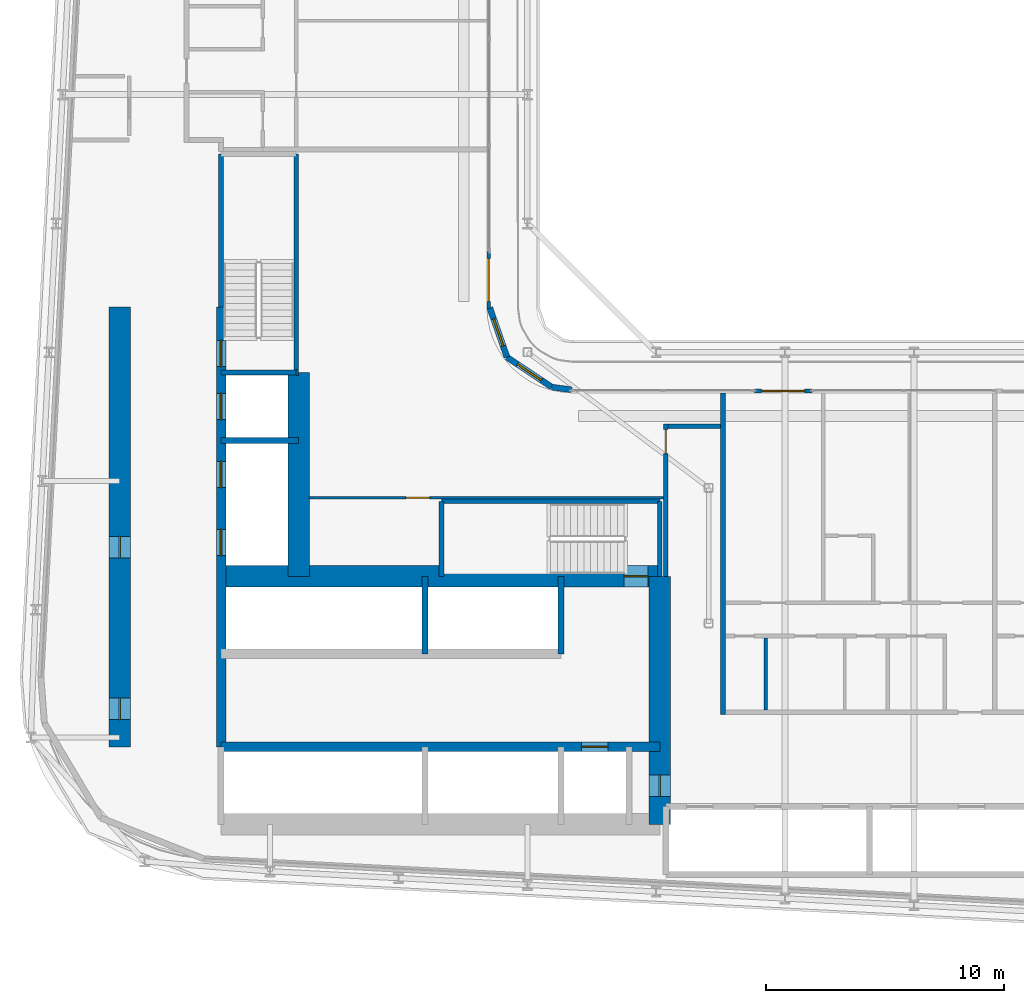
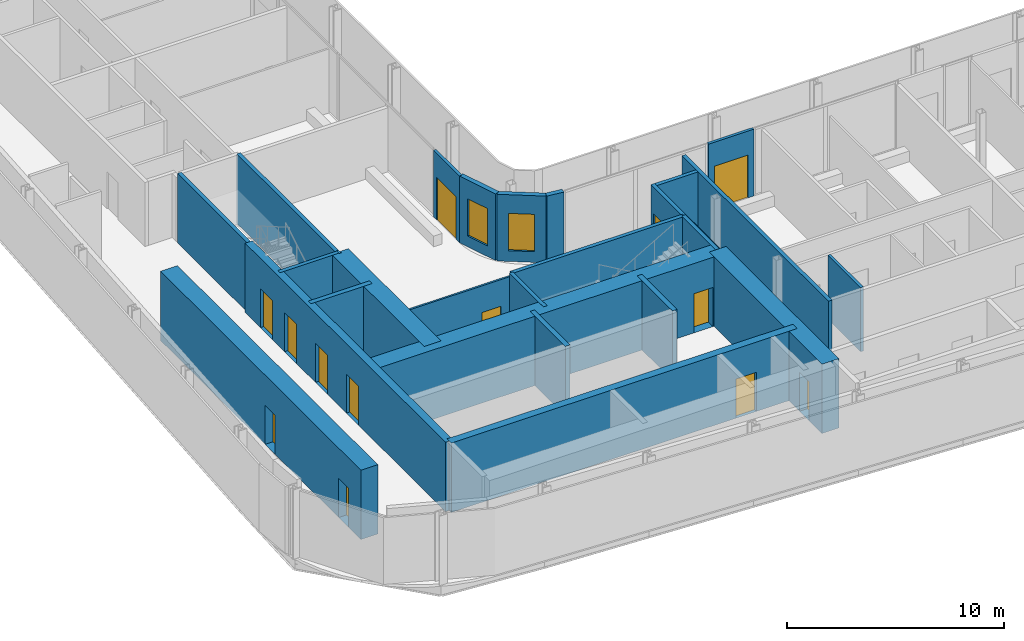
# One storey, part 12 of 25: 26 walls, 13 doors, 2 windows, 15 openings.
"""IFC4 building model written with IfcOpenShell, lengths in metres."""

from ifc_helpers import new_model, si_unit, direction, frame, frame_2d, origin, place, context, subcontext, project, spatial, rectangle, extrude, source, transform, mapped, material, layer, layer_set, type_object, element, fill, save


model = new_model("IFC4")

# Units and contexts
model_context = context("Model", 3, precision=1e-05, world=origin(), true_north=direction((0.0, 1.0)))
body_context = subcontext(model_context, "Body", "Model", "MODEL_VIEW")
ifc_project = project(units=[si_unit("LENGTHUNIT", "METRE"), si_unit("AREAUNIT", "SQUARE_METRE"), si_unit("VOLUMEUNIT", "CUBIC_METRE"), si_unit("PLANEANGLEUNIT", "RADIAN"), si_unit("MASSUNIT", "GRAM", prefix="KILO")], contexts=[model_context])

# Site, building, storey
site_placement = place(None, origin())
site = spatial("IfcSite", under=ifc_project, at=site_placement, CompositionType="ELEMENT")
building_placement = place(site_placement, origin())
building = spatial("IfcBuilding", under=site, at=building_placement, Name="Kheshtan School and Residences Tower", CompositionType="ELEMENT")
storey_placement = place(building_placement, frame((0.0, 0.0, 109.699951171875)))
storey = spatial("IfcBuildingStorey", under=building, at=storey_placement, Name="L25", CompositionType="ELEMENT", Elevation=109.699951171875)

# Wall, opening, door
ifc_material_1 = material(Name="Concrete C50/60", Category="concrete")
ifc_layer_1 = layer(ifc_material_1, 0.39990234375)
ifc_layer_set_1 = layer_set([ifc_layer_1], Name="Core wall 400 Concrete C50/60")
wall_type_1 = type_object("IfcWallType", Name="Core wall 400 Concrete C50/60", PredefinedType="SHEAR", material=ifc_layer_set_1)
wall_1_placement = place(storey_placement, frame((34.75, 29.050048828125, 0.0), z_axis=(0.0, 0.0, 1.0), x_axis=(1.0, 0.0, 0.0)))
wall_1 = element("IfcWall", 1, at=wall_1_placement, inside=storey, type_object=wall_type_1, Name="Core wall CW-HALL-S1", PredefinedType="SHEAR", context=body_context, shape_type="SweptSolid", body=[
    extrude(rectangle(XDim=18.39990234375, YDim=0.39990234375, at=frame_2d((9.199951171875, 0.0))), origin(), (0.0, 0.0, 1.0), 3.900146484375),
])
opening_1_placement = place(wall_1_placement, frame((15.125, 0.0, 0.0)))
opening_1 = element("IfcOpeningElement", 2, at=opening_1_placement, cuts=wall_1, Name="Opening LD", PredefinedType="OPENING", context=body_context, shape_type="SweptSolid", body=[
    extrude(rectangle(XDim=1.10009765625, YDim=2.199951171875, at=frame_2d((0.550048828125, 1.10009765625))), frame((0.0, 0.2099609375, 0.0), z_axis=(0.0, -1.0, 0.0), x_axis=(1.0, 0.0, 0.0)), (0.0, 0.0, 1.0), 0.419921875),
])
ifc_material_2 = material(Name="Stainless steel door leaves", Category="steel")
door_type_1 = type_object("IfcDoorType", Name="Lift landing door 1100", OperationType="SLIDING_TO_LEFT", PredefinedType="DOOR", material=ifc_material_2)
shared_shape_1 = source(origin(), body_context, "Body", "SweptSolid", [
    extrude(rectangle(XDim=1.10009765625, YDim=2.199951171875, at=frame_2d((0.550048828125, 1.10009765625))), frame((0.0, 0.02490234375, 0.0), z_axis=(0.0, -1.0, 0.0), x_axis=(1.0, 0.0, 0.0)), (0.0, 0.0, 1.0), 0.050048828125),
])
door_1_placement = place(opening_1_placement, origin())
door_1 = element("IfcDoor", 3, at=door_1_placement, inside=storey, type_object=door_type_1, Name="Lift FFL2 landing door", OperationType="SLIDING_TO_LEFT", OverallHeight=2.199951171875, OverallWidth=1.10009765625, PredefinedType="DOOR", context=body_context, shape_type="MappedRepresentation", body=[
    mapped(shared_shape_1, transform((0.0, 0.0, 0.0), x_axis=(1.0, 0.0, 0.0), y_axis=(0.0, 1.0, 0.0), z_axis=(0.0, 0.0, 1.0), scale=1.0)),
])
fill(opening_1, door_1)

# Wall, openings, doors
wall_2_placement = place(storey_placement, frame((34.75, 29.050048828125, 0.0), z_axis=(0.0, 0.0, 1.0), x_axis=(0.0, 1.0, 0.0)))
wall_2 = element("IfcWall", 4, at=wall_2_placement, inside=storey, type_object=wall_type_1, Name="Core wall CW-HALL-W1", PredefinedType="SHEAR", context=body_context, shape_type="SweptSolid", body=[
    extrude(rectangle(XDim=18.449951171875, YDim=0.39990234375, at=frame_2d((9.22509765625, 0.0))), origin(), (0.0, 0.0, 1.0), 3.900146484375),
])
opening_2_placement = place(wall_2_placement, frame((8.02490234375, 0.0, 0.0)))
opening_2 = element("IfcOpeningElement", 5, at=opening_2_placement, cuts=wall_2, Name="Opening LD", PredefinedType="OPENING", context=body_context, shape_type="SweptSolid", body=[
    extrude(rectangle(XDim=1.10009765625, YDim=2.199951171875, at=frame_2d((0.550048828125, 1.10009765625))), frame((0.0, 0.2099609375, 0.0), z_axis=(0.0, -1.0, 0.0), x_axis=(1.0, 0.0, 0.0)), (0.0, 0.0, 1.0), 0.419921875),
])
opening_3_placement = place(wall_2_placement, frame((10.875, 0.0, 0.0)))
opening_3 = element("IfcOpeningElement", 6, at=opening_3_placement, cuts=wall_2, Name="Opening LD", PredefinedType="OPENING", context=body_context, shape_type="SweptSolid", body=[
    extrude(rectangle(XDim=1.10009765625, YDim=2.199951171875, at=frame_2d((0.550048828125, 1.10009765625))), frame((0.0, 0.2099609375, 0.0), z_axis=(0.0, -1.0, 0.0), x_axis=(1.0, 0.0, 0.0)), (0.0, 0.0, 1.0), 0.419921875),
])
opening_4_placement = place(wall_2_placement, frame((13.72509765625, 0.0, 0.0)))
opening_4 = element("IfcOpeningElement", 7, at=opening_4_placement, cuts=wall_2, Name="Opening LD", PredefinedType="OPENING", context=body_context, shape_type="SweptSolid", body=[
    extrude(rectangle(XDim=1.10009765625, YDim=2.199951171875, at=frame_2d((0.550048828125, 1.10009765625))), frame((0.0, 0.2099609375, 0.0), z_axis=(0.0, -1.0, 0.0), x_axis=(1.0, 0.0, 0.0)), (0.0, 0.0, 1.0), 0.419921875),
])
opening_5_placement = place(wall_2_placement, frame((15.949951171875, 0.0, 0.0)))
opening_5 = element("IfcOpeningElement", 8, at=opening_5_placement, cuts=wall_2, Name="Opening ST2D", PredefinedType="OPENING", context=body_context, shape_type="SweptSolid", body=[
    extrude(rectangle(XDim=1.10009765625, YDim=2.199951171875, at=frame_2d((0.550048828125, 1.10009765625))), frame((0.0, 0.2099609375, 0.0), z_axis=(0.0, -1.0, 0.0), x_axis=(1.0, 0.0, 0.0)), (0.0, 0.0, 1.0), 0.419921875),
])
door_2_placement = place(opening_2_placement, origin())
door_2 = element("IfcDoor", 9, at=door_2_placement, inside=storey, type_object=door_type_1, Name="Lift SV1 landing door", OperationType="SLIDING_TO_LEFT", OverallHeight=2.199951171875, OverallWidth=1.10009765625, PredefinedType="DOOR", context=body_context, shape_type="MappedRepresentation", body=[
    mapped(shared_shape_1, transform((0.0, 0.0, 0.0), x_axis=(1.0, 0.0, 0.0), y_axis=(0.0, 1.0, 0.0), z_axis=(0.0, 0.0, 1.0), scale=1.0)),
])
fill(opening_2, door_2)
door_3_placement = place(opening_3_placement, origin())
door_3 = element("IfcDoor", 10, at=door_3_placement, inside=storey, type_object=door_type_1, Name="Lift SV2 landing door", OperationType="SLIDING_TO_LEFT", OverallHeight=2.199951171875, OverallWidth=1.10009765625, PredefinedType="DOOR", context=body_context, shape_type="MappedRepresentation", body=[
    mapped(shared_shape_1, transform((0.0, 0.0, 0.0), x_axis=(1.0, 0.0, 0.0), y_axis=(0.0, 1.0, 0.0), z_axis=(0.0, 0.0, 1.0), scale=1.0)),
])
fill(opening_3, door_3)
door_4_placement = place(opening_4_placement, origin())
door_4 = element("IfcDoor", 11, at=door_4_placement, inside=storey, type_object=door_type_1, Name="Lift FFL1 landing door", OperationType="SLIDING_TO_LEFT", OverallHeight=2.199951171875, OverallWidth=1.10009765625, PredefinedType="DOOR", context=body_context, shape_type="MappedRepresentation", body=[
    mapped(shared_shape_1, transform((0.0, 0.0, 0.0), x_axis=(1.0, 0.0, 0.0), y_axis=(0.0, 1.0, 0.0), z_axis=(0.0, 0.0, 1.0), scale=1.0)),
])
fill(opening_4, door_4)
ifc_material_3 = material(Name="Steel door leaf, galvanised", Category="steel")
door_type_2 = type_object("IfcDoorType", Name="Stair door 1100 steel 90 min", OperationType="SINGLE_SWING_LEFT", PredefinedType="DOOR", material=ifc_material_3)
shared_shape_2 = source(origin(), body_context, "Body", "SweptSolid", [
    extrude(rectangle(XDim=1.10009765625, YDim=2.199951171875, at=frame_2d((0.550048828125, 1.10009765625))), frame((0.0, 0.02490234375, 0.0), z_axis=(0.0, -1.0, 0.0), x_axis=(1.0, 0.0, 0.0)), (0.0, 0.0, 1.0), 0.050048828125),
])
door_5_placement = place(opening_5_placement, origin())
door_5 = element("IfcDoor", 12, at=door_5_placement, inside=storey, type_object=door_type_2, Name="Stair ST2 door", OperationType="SINGLE_SWING_RIGHT", OverallHeight=2.199951171875, OverallWidth=1.10009765625, PredefinedType="DOOR", context=body_context, shape_type="MappedRepresentation", body=[
    mapped(shared_shape_2, transform((0.0, 0.0, 0.0), x_axis=(1.0, 0.0, 0.0), y_axis=(0.0, 1.0, 0.0), z_axis=(0.0, 0.0, 1.0), scale=1.0)),
])
fill(opening_5, door_5)

# Wall, opening, door
ifc_material_4 = material(Name="Concrete C80/95", Category="concrete")
ifc_layer_2 = layer(ifc_material_4, 0.89990234375)
ifc_layer_set_2 = layer_set([ifc_layer_2], Name="Core wall 900 Concrete C80/95")
wall_type_2 = type_object("IfcWallType", Name="Core wall 900 Concrete C80/95", PredefinedType="SHEAR", material=ifc_layer_set_2)
wall_3_placement = place(storey_placement, frame((34.75, 36.199951171875, 0.0), z_axis=(0.0, 0.0, 1.0), x_axis=(1.0, 0.0, 0.0)))
wall_3 = element("IfcWall", 13, at=wall_3_placement, inside=storey, type_object=wall_type_2, Name="Core wall CW-FRONT-S", PredefinedType="SHEAR", context=body_context, shape_type="SweptSolid", body=[
    extrude(rectangle(XDim=18.39990234375, YDim=0.89990234375, at=frame_2d((9.199951171875, 0.0))), origin(), (0.0, 0.0, 1.0), 3.900146484375),
])
opening_6_placement = place(wall_3_placement, frame((16.89990234375, 0.0, 0.0)))
opening_6 = element("IfcOpeningElement", 14, at=opening_6_placement, cuts=wall_3, Name="Opening ST1D", PredefinedType="OPENING", context=body_context, shape_type="SweptSolid", body=[
    extrude(rectangle(XDim=1.0, YDim=2.199951171875, at=frame_2d((0.5, 1.10009765625))), frame((0.0, 0.4599609375, 0.0), z_axis=(0.0, -1.0, 0.0), x_axis=(1.0, 0.0, 0.0)), (0.0, 0.0, 1.0), 0.919921875),
])
shared_shape_3 = source(origin(), body_context, "Body", "SweptSolid", [
    extrude(rectangle(XDim=1.0, YDim=2.199951171875, at=frame_2d((0.5, 1.10009765625))), frame((0.0, 0.02490234375, 0.0), z_axis=(0.0, -1.0, 0.0), x_axis=(1.0, 0.0, 0.0)), (0.0, 0.0, 1.0), 0.050048828125),
])
door_6_placement = place(opening_6_placement, origin())
door_6 = element("IfcDoor", 15, at=door_6_placement, inside=storey, type_object=door_type_2, Name="Stair ST1 door", OperationType="SINGLE_SWING_RIGHT", OverallHeight=2.199951171875, OverallWidth=1.0, PredefinedType="DOOR", context=body_context, shape_type="MappedRepresentation", body=[
    mapped(shared_shape_3, transform((0.0, 0.0, 0.0), x_axis=(1.0, 0.0, 0.0), y_axis=(0.0, 1.0, 0.0), z_axis=(0.0, 0.0, 1.0), scale=1.0)),
])
fill(opening_6, door_6)

# Wall
wall_4_placement = place(storey_placement, frame((38.0, 36.199951171875, 0.0), z_axis=(0.0, 0.0, 1.0), x_axis=(0.0, 1.0, 0.0)))
element("IfcWall", 16, at=wall_4_placement, inside=storey, type_object=wall_type_2, Name="Core wall CW-FRONT-W", PredefinedType="SHEAR", context=body_context, shape_type="SweptSolid", body=[
    extrude(rectangle(XDim=8.550048828125, YDim=0.89990234375, at=frame_2d((4.27490234375, 0.0))), origin(), (0.0, 0.0, 1.0), 3.900146484375),
])

# Wall, openings, doors
wall_5_placement = place(storey_placement, frame((30.5, 29.050048828125, 0.0), z_axis=(0.0, 0.0, 1.0), x_axis=(0.0, 1.0, 0.0)))
wall_5 = element("IfcWall", 17, at=wall_5_placement, inside=storey, type_object=wall_type_2, Name="Core wall CW-REAR-W", PredefinedType="SHEAR", context=body_context, shape_type="SweptSolid", body=[
    extrude(rectangle(XDim=18.449951171875, YDim=0.89990234375, at=frame_2d((9.22509765625, 0.0))), origin(), (0.0, 0.0, 1.0), 3.900146484375),
])
opening_7_placement = place(wall_5_placement, frame((1.14697265625, 0.0, 0.0)))
opening_7 = element("IfcOpeningElement", 18, at=opening_7_placement, cuts=wall_5, Name="Opening SR90", PredefinedType="OPENING", context=body_context, shape_type="SweptSolid", body=[
    extrude(rectangle(XDim=0.89990234375, YDim=2.199951171875, at=frame_2d((0.449951171875, 1.10009765625))), frame((0.0, 0.4599609375, 0.0), z_axis=(0.0, -1.0, 0.0), x_axis=(1.0, 0.0, 0.0)), (0.0, 0.0, 1.0), 0.919921875),
])
opening_8_placement = place(wall_5_placement, frame((7.925048828125, 0.0, 0.0)))
opening_8 = element("IfcOpeningElement", 19, at=opening_8_placement, cuts=wall_5, Name="Opening SR90", PredefinedType="OPENING", context=body_context, shape_type="SweptSolid", body=[
    extrude(rectangle(XDim=0.89990234375, YDim=2.199951171875, at=frame_2d((0.449951171875, 1.10009765625))), frame((0.0, 0.4599609375, 0.0), z_axis=(0.0, -1.0, 0.0), x_axis=(1.0, 0.0, 0.0)), (0.0, 0.0, 1.0), 0.919921875),
])
door_type_3 = type_object("IfcDoorType", Name="Service room door 900 steel 90 min", OperationType="SINGLE_SWING_LEFT", PredefinedType="DOOR", material=ifc_material_3)
shared_shape_4 = source(origin(), body_context, "Body", "SweptSolid", [
    extrude(rectangle(XDim=0.89990234375, YDim=2.199951171875, at=frame_2d((0.449951171875, 1.10009765625))), frame((0.0, 0.02490234375, 0.0), z_axis=(0.0, -1.0, 0.0), x_axis=(1.0, 0.0, 0.0)), (0.0, 0.0, 1.0), 0.050048828125),
])
door_7_placement = place(opening_7_placement, origin())
door_7 = element("IfcDoor", 20, at=door_7_placement, inside=storey, type_object=door_type_3, Name="Service room door", OperationType="SINGLE_SWING_LEFT", OverallHeight=2.199951171875, OverallWidth=0.89990234375, PredefinedType="DOOR", context=body_context, shape_type="MappedRepresentation", body=[
    mapped(shared_shape_4, transform((0.0, 0.0, 0.0), x_axis=(1.0, 0.0, 0.0), y_axis=(0.0, 1.0, 0.0), z_axis=(0.0, 0.0, 1.0), scale=1.0)),
])
fill(opening_7, door_7)
door_8_placement = place(opening_8_placement, origin())
door_8 = element("IfcDoor", 21, at=door_8_placement, inside=storey, type_object=door_type_3, Name="Service room door", OperationType="SINGLE_SWING_LEFT", OverallHeight=2.199951171875, OverallWidth=0.89990234375, PredefinedType="DOOR", context=body_context, shape_type="MappedRepresentation", body=[
    mapped(shared_shape_4, transform((0.0, 0.0, 0.0), x_axis=(1.0, 0.0, 0.0), y_axis=(0.0, 1.0, 0.0), z_axis=(0.0, 0.0, 1.0), scale=1.0)),
])
fill(opening_8, door_8)

# Wall, opening, door
wall_6_placement = place(storey_placement, frame((53.14990234375, 25.800048828125, 0.0), z_axis=(0.0, 0.0, 1.0), x_axis=(0.0, 1.0, 0.0)))
wall_6 = element("IfcWall", 22, at=wall_6_placement, inside=storey, type_object=wall_type_2, Name="Core wall CW-EAST", PredefinedType="SHEAR", context=body_context, shape_type="SweptSolid", body=[
    extrude(rectangle(XDim=10.39990234375, YDim=0.89990234375, at=frame_2d((5.199951171875, 0.0))), origin(), (0.0, 0.0, 1.0), 3.900146484375),
])
opening_9_placement = place(wall_6_placement, frame((1.175048828125, 0.0, 0.0)))
opening_9 = element("IfcOpeningElement", 23, at=opening_9_placement, cuts=wall_6, Name="Opening SR90", PredefinedType="OPENING", context=body_context, shape_type="SweptSolid", body=[
    extrude(rectangle(XDim=0.89990234375, YDim=2.199951171875, at=frame_2d((0.449951171875, 1.10009765625))), frame((0.0, 0.4599609375, 0.0), z_axis=(0.0, -1.0, 0.0), x_axis=(1.0, 0.0, 0.0)), (0.0, 0.0, 1.0), 0.919921875),
])
door_9_placement = place(opening_9_placement, origin())
door_9 = element("IfcDoor", 24, at=door_9_placement, inside=storey, type_object=door_type_3, Name="Service room door", OperationType="SINGLE_SWING_RIGHT", OverallHeight=2.199951171875, OverallWidth=0.89990234375, PredefinedType="DOOR", context=body_context, shape_type="MappedRepresentation", body=[
    mapped(shared_shape_4, transform((0.0, 0.0, 0.0), x_axis=(1.0, 0.0, 0.0), y_axis=(0.0, 1.0, 0.0), z_axis=(0.0, 0.0, 1.0), scale=1.0)),
])
fill(opening_9, door_9)

ifc_material_5 = material(Name="Gypsum board on steel studs with fire boards", Category="steel")
ifc_layer_3 = layer(ifc_material_5, 0.199951171875)
ifc_layer_set_3 = layer_set([ifc_layer_3], Name="Corridor wall 200")
wall_type_3 = type_object("IfcWallType", Name="Corridor wall 200", PredefinedType="PARTITIONING", material=ifc_layer_set_3)
wall_7_placement = place(storey_placement, frame((53.39990234375, 36.198974609375, 0.0), z_axis=(0.0, 0.0, 1.0), x_axis=(0.0, 1.0, 0.0)))
wall_7 = element("IfcWall", 25, at=wall_7_placement, inside=storey, type_object=wall_type_3, Name="Partition L25-030", PredefinedType="PARTITIONING", context=body_context, shape_type="SweptSolid", body=[
    extrude(rectangle(XDim=6.401123046875, YDim=0.199951171875, at=frame_2d((3.20068359375, 0.0))), origin(), (0.0, 0.0, 1.0), 3.60009765625),
])
opening_10_placement = place(wall_7_placement, frame((5.15087890625, 0.0, 0.0)))
opening_10 = element("IfcOpeningElement", 26, at=opening_10_placement, cuts=wall_7, Name="Opening D25-051", PredefinedType="OPENING", context=body_context, shape_type="SweptSolid", body=[
    extrude(rectangle(XDim=1.0, YDim=2.10009765625, at=frame_2d((0.5, 1.050048828125))), frame((0.0, 0.10986328125, 0.0), z_axis=(0.0, -1.0, 0.0), x_axis=(1.0, 0.0, 0.0)), (0.0, 0.0, 1.0), 0.219970703125),
])
ifc_material_6 = material(Name="Steel-framed fire-resisting door leaf", Category="steel")
door_type_4 = type_object("IfcDoorType", Name="Fire door FD60 1000 x 2100", OperationType="SINGLE_SWING_LEFT", PredefinedType="DOOR", material=ifc_material_6)
shared_shape_5 = source(origin(), body_context, "Body", "SweptSolid", [
    extrude(rectangle(XDim=1.0, YDim=2.10009765625, at=frame_2d((0.5, 1.050048828125))), frame((0.0, 0.02490234375, 0.0), z_axis=(0.0, -1.0, 0.0), x_axis=(1.0, 0.0, 0.0)), (0.0, 0.0, 1.0), 0.050048828125),
])
door_10_placement = place(opening_10_placement, origin())
door_10 = element("IfcDoor", 27, at=door_10_placement, inside=storey, type_object=door_type_4, Name="Door D25-051", OperationType="SINGLE_SWING_LEFT", OverallHeight=2.10009765625, OverallWidth=1.0, PredefinedType="DOOR", context=body_context, shape_type="MappedRepresentation", body=[
    mapped(shared_shape_5, transform((0.0, 0.0, 0.0), x_axis=(1.0, 0.0, 0.0), y_axis=(0.0, 1.0, 0.0), z_axis=(0.0, 0.0, 1.0), scale=1.0)),
])
fill(opening_10, door_10)

# Wall
wall_8_placement = place(storey_placement, frame((53.5, 42.5, 0.0), z_axis=(0.0, 0.0, 1.0), x_axis=(1.0, 0.0, 0.0)))
element("IfcWall", 28, at=wall_8_placement, inside=storey, type_object=wall_type_3, Name="Partition L25-031", PredefinedType="PARTITIONING", context=body_context, shape_type="SweptSolid", body=[
    extrude(rectangle(XDim=2.199951171875, YDim=0.199951171875, at=frame_2d((1.10009765625, 0.0))), origin(), (0.0, 0.0, 1.0), 3.60009765625),
])

# Wall, opening, window
ifc_material_7 = material(Name="Concrete C40/50 with ceramic cladding and mineral wool insulation", Category="concrete")
ifc_layer_4 = layer(ifc_material_7, 0.25)
ifc_layer_set_4 = layer_set([ifc_layer_4], Name="External wall 250 ceramic clad")
wall_type_4 = type_object("IfcWallType", Name="External wall 250 ceramic clad", PredefinedType="SOLIDWALL", material=ifc_layer_set_4)
wall_9_placement = place(storey_placement, frame((46.01806640625, 47.470947265625, 0.0), z_axis=(0.0, 0.0, 1.0), x_axis=(0.328791208903, -0.944402637093, 0.0)))
wall_9 = element("IfcWall", 29, at=wall_9_placement, inside=storey, type_object=wall_type_4, Name="External wall L25 5", PredefinedType="SOLIDWALL", context=body_context, shape_type="SweptSolid", body=[
    extrude(rectangle(XDim=2.20458984375, YDim=0.25, at=frame_2d((1.102294921875, 0.0))), origin(), (0.0, 0.0, 1.0), 3.75),
])
opening_11_placement = place(wall_9_placement, frame((0.5029296875, 0.0, 0.60009765625)))
opening_11 = element("IfcOpeningElement", 30, at=opening_11_placement, cuts=wall_9, Name="Opening WN-E", PredefinedType="OPENING", context=body_context, shape_type="SweptSolid", body=[
    extrude(rectangle(XDim=1.199951171875, YDim=2.10009765625, at=frame_2d((0.60009765625, 1.050048828125))), frame((0.0, 0.135009765625, 0.0), z_axis=(0.0, -1.0, 0.0), x_axis=(1.0, 0.0, 0.0)), (0.0, 0.0, 1.0), 0.27001953125),
])
ifc_material_8 = material(Name="Clear low-e glass in thermally broken aluminium frame", Category="aluminium")
window_type = type_object("IfcWindowType", Name="Window WN-E", PartitioningType="SINGLE_PANEL", PredefinedType="WINDOW", material=ifc_material_8)
shared_shape_6 = source(origin(), body_context, "Body", "SweptSolid", [
    extrude(rectangle(XDim=1.199951171875, YDim=2.10009765625, at=frame_2d((0.60009765625, 1.050048828125))), frame((0.0, 0.030029296875, 0.0), z_axis=(0.0, -1.0, 0.0), x_axis=(1.0, 0.0, 0.0)), (0.0, 0.0, 1.0), 0.06005859375),
])
window_1_placement = place(opening_11_placement, origin())
window_1 = element("IfcWindow", 31, at=window_1_placement, inside=storey, type_object=window_type, Name="Window L25 5", OverallHeight=2.10009765625, OverallWidth=1.199951171875, PartitioningType="SINGLE_PANEL", PredefinedType="WINDOW", context=body_context, shape_type="MappedRepresentation", body=[
    mapped(shared_shape_6, transform((0.0, 0.0, 0.0), x_axis=(1.0, 0.0, 0.0), y_axis=(0.0, 1.0, 0.0), z_axis=(0.0, 0.0, 1.0), scale=1.0)),
])
fill(opening_11, window_1)

wall_10_placement = place(storey_placement, frame((46.742919921875, 45.388916015625, 0.0), z_axis=(0.0, 0.0, 1.0), x_axis=(0.831449265529, -0.555600682912, 0.0)))
wall_10 = element("IfcWall", 32, at=wall_10_placement, inside=storey, type_object=wall_type_4, Name="External wall L25 6", PredefinedType="SOLIDWALL", context=body_context, shape_type="SweptSolid", body=[
    extrude(rectangle(XDim=2.25146484375, YDim=0.25, at=frame_2d((1.125732421875, 0.0))), origin(), (0.0, 0.0, 1.0), 3.75),
])
opening_12_placement = place(wall_10_placement, frame((0.52490234375, 0.0, 0.60009765625)))
opening_12 = element("IfcOpeningElement", 33, at=opening_12_placement, cuts=wall_10, Name="Opening WN-E", PredefinedType="OPENING", context=body_context, shape_type="SweptSolid", body=[
    extrude(rectangle(XDim=1.199951171875, YDim=2.10009765625, at=frame_2d((0.60009765625, 1.050048828125))), frame((0.0, 0.135009765625, 0.0), z_axis=(0.0, -1.0, 0.0), x_axis=(1.0, 0.0, 0.0)), (0.0, 0.0, 1.0), 0.27001953125),
])
window_2_placement = place(opening_12_placement, origin())
window_2 = element("IfcWindow", 34, at=window_2_placement, inside=storey, type_object=window_type, Name="Window L25 6", OverallHeight=2.10009765625, OverallWidth=1.199951171875, PartitioningType="SINGLE_PANEL", PredefinedType="WINDOW", context=body_context, shape_type="MappedRepresentation", body=[
    mapped(shared_shape_6, transform((0.0, 0.0, 0.0), x_axis=(1.0, 0.0, 0.0), y_axis=(0.0, 1.0, 0.0), z_axis=(0.0, 0.0, 1.0), scale=1.0)),
])
fill(opening_12, window_2)

# Wall
wall_11_placement = place(storey_placement, frame((48.614990234375, 44.137939453125, 0.0), z_axis=(0.0, 0.0, 1.0), x_axis=(0.990741504246, -0.135761819977, 0.0)))
element("IfcWall", 35, at=wall_11_placement, inside=storey, type_object=wall_type_4, Name="External wall L25 7", PredefinedType="SOLIDWALL", context=body_context, shape_type="SweptSolid", body=[
    extrude(rectangle(XDim=0.83984375, YDim=0.25, at=frame_2d((0.419921875, 0.0))), origin(), (0.0, 0.0, 1.0), 3.75),
])

# Wall, opening, door
ifc_material_9 = material(Name="Aluminium frame wall with insulated infill", Category="aluminium")
ifc_layer_5 = layer(ifc_material_9, 0.14990234375)
ifc_layer_set_5 = layer_set([ifc_layer_5], Name="Glazing frame wall 150")
wall_type_5 = type_object("IfcWallType", Name="Glazing frame wall 150", PredefinedType="SOLIDWALL", material=ifc_layer_set_5)
wall_12_placement = place(storey_placement, frame((45.97509765625, 49.830078125, 0.0), z_axis=(0.0, 0.0, 1.0), x_axis=(0.0, -1.0, 0.0)))
wall_12 = element("IfcWall", 36, at=wall_12_placement, inside=storey, type_object=wall_type_5, Name="Balcony door wall L25 4.4", PredefinedType="SOLIDWALL", context=body_context, shape_type="SweptSolid", body=[
    extrude(rectangle(XDim=2.400146484375, YDim=0.14990234375, at=frame_2d((1.2001953125, 0.0))), origin(), (0.0, 0.0, 1.0), 3.75),
])
opening_13_placement = place(wall_12_placement, frame((0.300048828125, 0.0, 0.0)))
opening_13 = element("IfcOpeningElement", 37, at=opening_13_placement, cuts=wall_12, Name="Opening BD", PredefinedType="OPENING", context=body_context, shape_type="SweptSolid", body=[
    extrude(rectangle(XDim=1.800048828125, YDim=2.39990234375, at=frame_2d((0.89990234375, 1.199951171875))), frame((0.0, 0.0849609375, 0.0), z_axis=(0.0, -1.0, 0.0), x_axis=(1.0, 0.0, 0.0)), (0.0, 0.0, 1.0), 0.169921875),
])
door_type_5 = type_object("IfcDoorType", Name="Balcony sliding door", OperationType="SLIDING_TO_LEFT", PredefinedType="DOOR", material=ifc_material_8)
shared_shape_7 = source(origin(), body_context, "Body", "SweptSolid", [
    extrude(rectangle(XDim=1.800048828125, YDim=2.39990234375, at=frame_2d((0.89990234375, 1.199951171875))), frame((0.0, 0.02490234375, 0.0), z_axis=(0.0, -1.0, 0.0), x_axis=(1.0, 0.0, 0.0)), (0.0, 0.0, 1.0), 0.050048828125),
])
door_11_placement = place(opening_13_placement, origin())
door_11 = element("IfcDoor", 38, at=door_11_placement, inside=storey, type_object=door_type_5, Name="Balcony door L25 4.4", OperationType="SLIDING_TO_LEFT", OverallHeight=2.39990234375, OverallWidth=1.800048828125, PredefinedType="DOOR", context=body_context, shape_type="MappedRepresentation", body=[
    mapped(shared_shape_7, transform((0.0, 0.0, 0.0), x_axis=(1.0, 0.0, 0.0), y_axis=(0.0, 1.0, 0.0), z_axis=(0.0, 0.0, 1.0), scale=1.0)),
])
fill(opening_13, door_11)

wall_13_placement = place(storey_placement, frame((57.1240234375, 43.97509765625, 0.0), z_axis=(0.0, 0.0, 1.0), x_axis=(1.0, 0.0, 0.0)))
wall_13 = element("IfcWall", 39, at=wall_13_placement, inside=storey, type_object=wall_type_5, Name="Balcony door wall L25 8.1", PredefinedType="SOLIDWALL", context=body_context, shape_type="SweptSolid", body=[
    extrude(rectangle(XDim=2.39990234375, YDim=0.14990234375, at=frame_2d((1.199951171875, 0.0))), origin(), (0.0, 0.0, 1.0), 3.75),
])
opening_14_placement = place(wall_13_placement, frame((0.300048828125, 0.0, 0.0)))
opening_14 = element("IfcOpeningElement", 40, at=opening_14_placement, cuts=wall_13, Name="Opening BD", PredefinedType="OPENING", context=body_context, shape_type="SweptSolid", body=[
    extrude(rectangle(XDim=1.800048828125, YDim=2.39990234375, at=frame_2d((0.89990234375, 1.199951171875))), frame((0.0, 0.0849609375, 0.0), z_axis=(0.0, -1.0, 0.0), x_axis=(1.0, 0.0, 0.0)), (0.0, 0.0, 1.0), 0.169921875),
])
door_12_placement = place(opening_14_placement, origin())
door_12 = element("IfcDoor", 41, at=door_12_placement, inside=storey, type_object=door_type_5, Name="Balcony door L25 8.1", OperationType="SLIDING_TO_LEFT", OverallHeight=2.39990234375, OverallWidth=1.800048828125, PredefinedType="DOOR", context=body_context, shape_type="MappedRepresentation", body=[
    mapped(shared_shape_7, transform((0.0, 0.0, 0.0), x_axis=(1.0, 0.0, 0.0), y_axis=(0.0, 1.0, 0.0), z_axis=(0.0, 0.0, 1.0), scale=1.0)),
])
fill(opening_14, door_12)

ifc_material_10 = material(Name="Gypsum board on steel studs", Category="steel")
ifc_layer_6 = layer(ifc_material_10, 0.10009765625)
ifc_layer_set_6 = layer_set([ifc_layer_6], Name="Gypsum partition 100")
wall_type_6 = type_object("IfcWallType", Name="Gypsum partition 100", PredefinedType="PARTITIONING", material=ifc_layer_set_6)
wall_14_placement = place(storey_placement, frame((38.448974609375, 39.5, 0.0), z_axis=(0.0, 0.0, 1.0), x_axis=(1.0, 0.0, 0.0)))
wall_14 = element("IfcWall", 42, at=wall_14_placement, inside=storey, type_object=wall_type_6, Name="Partition L25-028", PredefinedType="PARTITIONING", context=body_context, shape_type="SweptSolid", body=[
    extrude(rectangle(XDim=14.85107421875, YDim=0.10009765625, at=frame_2d((7.425537109375, 0.0))), origin(), (0.0, 0.0, 1.0), 3.60009765625),
])
opening_15_placement = place(wall_14_placement, frame((4.047119140625, 0.0, 0.0)))
opening_15 = element("IfcOpeningElement", 43, at=opening_15_placement, cuts=wall_14, Name="Opening D25-050", PredefinedType="OPENING", context=body_context, shape_type="SweptSolid", body=[
    extrude(rectangle(XDim=1.0, YDim=2.10009765625, at=frame_2d((0.5, 1.050048828125))), frame((0.0, 0.06005859375, 0.0), z_axis=(0.0, -1.0, 0.0), x_axis=(1.0, 0.0, 0.0)), (0.0, 0.0, 1.0), 0.1201171875),
])
ifc_material_11 = material(Name="Veneered timber door leaf", Category="wood")
door_type_6 = type_object("IfcDoorType", Name="Door 1000 x 2100", OperationType="SINGLE_SWING_LEFT", PredefinedType="DOOR", material=ifc_material_11)
shared_shape_8 = source(origin(), body_context, "Body", "SweptSolid", [
    extrude(rectangle(XDim=1.0, YDim=2.10009765625, at=frame_2d((0.5, 1.050048828125))), frame((0.0, 0.02490234375, 0.0), z_axis=(0.0, -1.0, 0.0), x_axis=(1.0, 0.0, 0.0)), (0.0, 0.0, 1.0), 0.050048828125),
])
door_13_placement = place(opening_15_placement, origin())
door_13 = element("IfcDoor", 44, at=door_13_placement, inside=storey, type_object=door_type_6, Name="Door D25-050", OperationType="SINGLE_SWING_LEFT", OverallHeight=2.10009765625, OverallWidth=1.0, PredefinedType="DOOR", context=body_context, shape_type="MappedRepresentation", body=[
    mapped(shared_shape_8, transform((0.0, 0.0, 0.0), x_axis=(1.0, 0.0, 0.0), y_axis=(0.0, 1.0, 0.0), z_axis=(0.0, 0.0, 1.0), scale=1.0)),
])
fill(opening_15, door_13)

# Walls
ifc_material_12 = material(Name="Fire-board shaft wall system")
ifc_layer_7 = layer(ifc_material_12, 0.25)
ifc_layer_set_7 = layer_set([ifc_layer_7], Name="Shaft lining wall 250")
wall_type_7 = type_object("IfcWallType", Name="Shaft lining wall 250", PredefinedType="PARTITIONING", material=ifc_layer_set_7)
for number, where, z_axis, x_axis, name in (
    (45, (43.300048828125, 32.949951171875, 0.0), (0.0, 0.0, 1.0), (0.0, 1.0, 0.0), "Shaft lining wall"),
    (46, (49.0, 32.949951171875, 0.0), (0.0, 0.0, 1.0), (0.0, 1.0, 0.0), "Shaft lining wall"),
    (47, (34.75, 41.89990234375, 0.0), (0.0, 0.0, 1.0), (1.0, 0.0, 0.0), "Shaft lining wall"),
):
    element("IfcWall", number, at=place(storey_placement, frame(where, z_axis=z_axis, x_axis=x_axis)), inside=storey, type_object=wall_type_7, Name=name, PredefinedType="PARTITIONING", context=body_context, shape_type="SweptSolid", body=[
        extrude(rectangle(XDim=3.25, YDim=0.25, at=frame_2d((1.625, 0.0))), origin(), (0.0, 0.0, 1.0), 3.900146484375),
    ])
wall_15_placement = place(storey_placement, frame((37.89990234375, 44.75, 0.0), z_axis=(0.0, 0.0, 1.0), x_axis=(1.0, 0.0, 0.0)))
element("IfcWall", 48, at=wall_15_placement, inside=storey, type_object=wall_type_7, Name="Shaft lining wall", PredefinedType="PARTITIONING", context=body_context, shape_type="SweptSolid", body=[
    extrude(rectangle(XDim=0.10009765625, YDim=0.25, at=frame_2d((0.050048828125, 0.0))), origin(), (0.0, 0.0, 1.0), 3.900146484375),
])
ifc_material_13 = material(Name="Concrete C40/50", Category="concrete")
ifc_layer_8 = layer(ifc_material_13, 0.199951171875)
ifc_layer_set_8 = layer_set([ifc_layer_8], Name="Stair enclosure wall 200 Concrete C40/50")
wall_type_8 = type_object("IfcWallType", Name="Stair enclosure wall 200 Concrete C40/50", PredefinedType="SHEAR", material=ifc_layer_set_8)
wall_16_placement = place(storey_placement, frame((43.989990234375, 39.35009765625, 0.0), z_axis=(0.0, 0.0, 1.0), x_axis=(1.0, 0.0, 0.0)))
element("IfcWall", 49, at=wall_16_placement, inside=storey, type_object=wall_type_8, Name="Stair enclosure wall ST1", PredefinedType="SHEAR", context=body_context, shape_type="SweptSolid", body=[
    extrude(rectangle(XDim=9.159912109375, YDim=0.199951171875, at=frame_2d((4.580078125, 0.0))), origin(), (0.0, 0.0, 1.0), 3.900146484375),
])
for number, where, z_axis, x_axis, name in (
    (50, (43.989990234375, 36.199951171875, 0.0), (0.0, 0.0, 1.0), (0.0, 1.0, 0.0), "Stair enclosure wall ST1"),
    (51, (53.14990234375, 36.199951171875, 0.0), (0.0, 0.0, 1.0), (0.0, 1.0, 0.0), "Stair enclosure wall ST1"),
):
    element("IfcWall", number, at=place(storey_placement, frame(where, z_axis=z_axis, x_axis=x_axis)), inside=storey, type_object=wall_type_8, Name=name, PredefinedType="SHEAR", context=body_context, shape_type="SweptSolid", body=[
        extrude(rectangle(XDim=3.150146484375, YDim=0.199951171875, at=frame_2d((1.5751953125, 0.0))), origin(), (0.0, 0.0, 1.0), 3.900146484375),
    ])
wall_17_placement = place(storey_placement, frame((34.75, 44.75, 0.0), z_axis=(0.0, 0.0, 1.0), x_axis=(1.0, 0.0, 0.0)))
element("IfcWall", 52, at=wall_17_placement, inside=storey, type_object=wall_type_8, Name="Stair enclosure wall ST2", PredefinedType="SHEAR", context=body_context, shape_type="SweptSolid", body=[
    extrude(rectangle(XDim=3.14990234375, YDim=0.199951171875, at=frame_2d((1.574951171875, 0.0))), origin(), (0.0, 0.0, 1.0), 3.900146484375),
])
wall_18_placement = place(storey_placement, frame((34.75, 47.5, 0.0), z_axis=(0.0, 0.0, 1.0), x_axis=(0.0, 1.0, 0.0)))
element("IfcWall", 53, at=wall_18_placement, inside=storey, type_object=wall_type_8, Name="Stair enclosure wall ST2", PredefinedType="SHEAR", context=body_context, shape_type="SweptSolid", body=[
    extrude(rectangle(XDim=6.409912109375, YDim=0.199951171875, at=frame_2d((3.205078125, 0.0))), origin(), (0.0, 0.0, 1.0), 3.900146484375),
])
wall_19_placement = place(storey_placement, frame((37.89990234375, 44.75, 0.0), z_axis=(0.0, 0.0, 1.0), x_axis=(0.0, 1.0, 0.0)))
element("IfcWall", 54, at=wall_19_placement, inside=storey, type_object=wall_type_8, Name="Stair enclosure wall ST2", PredefinedType="SHEAR", context=body_context, shape_type="SweptSolid", body=[
    extrude(rectangle(XDim=9.159912109375, YDim=0.199951171875, at=frame_2d((4.580078125, 0.0))), origin(), (0.0, 0.0, 1.0), 3.900146484375),
])
ifc_material_14 = material(Name="Twin gypsum board on steel studs with mineral wool", Category="steel")
ifc_layer_9 = layer(ifc_material_14, 0.199951171875)
ifc_layer_set_9 = layer_set([ifc_layer_9], Name="Unit demising wall 200")
wall_type_9 = type_object("IfcWallType", Name="Unit demising wall 200", PredefinedType="PARTITIONING", material=ifc_layer_set_9)
wall_20_placement = place(storey_placement, frame((55.800048828125, 30.39990234375, 0.0), z_axis=(0.0, 0.0, 1.0), x_axis=(0.0, 1.0, 0.0)))
element("IfcWall", 55, at=wall_20_placement, inside=storey, type_object=wall_type_9, Name="Partition L25-032", PredefinedType="PARTITIONING", context=body_context, shape_type="SweptSolid", body=[
    extrude(rectangle(XDim=13.5, YDim=0.199951171875, at=frame_2d((6.75, 0.0))), origin(), (0.0, 0.0, 1.0), 3.60009765625),
])
ifc_material_15 = material(Name="Moisture-resistant gypsum board on steel studs", Category="steel")
ifc_layer_10 = layer(ifc_material_15, 0.14990234375)
ifc_layer_set_10 = layer_set([ifc_layer_10], Name="Wet-room partition 150")
wall_type_10 = type_object("IfcWallType", Name="Wet-room partition 150", PredefinedType="PARTITIONING", material=ifc_layer_set_10)
wall_21_placement = place(storey_placement, frame((57.60009765625, 30.60009765625, 0.0), z_axis=(0.0, 0.0, 1.0), x_axis=(0.0, 1.0, 0.0)))
element("IfcWall", 56, at=wall_21_placement, inside=storey, type_object=wall_type_10, Name="Partition L25-036", PredefinedType="PARTITIONING", context=body_context, shape_type="SweptSolid", body=[
    extrude(rectangle(XDim=3.02490234375, YDim=0.14990234375, at=frame_2d((1.512451171875, 0.0))), origin(), (0.0, 0.0, 1.0), 3.60009765625),
])

save(model, "model.ifc")
